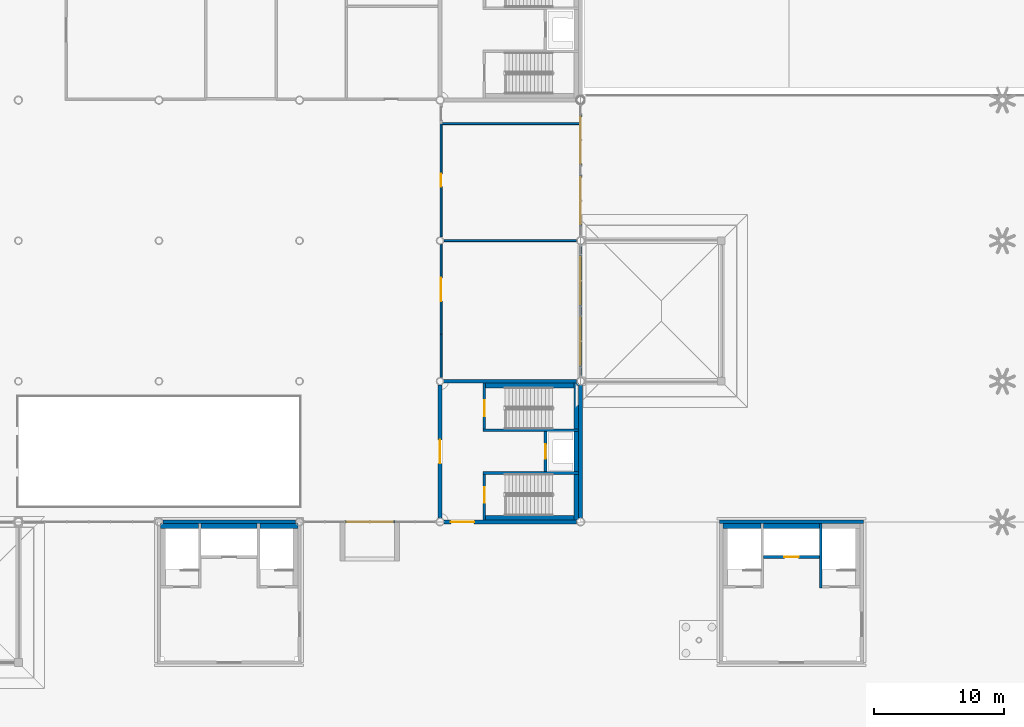
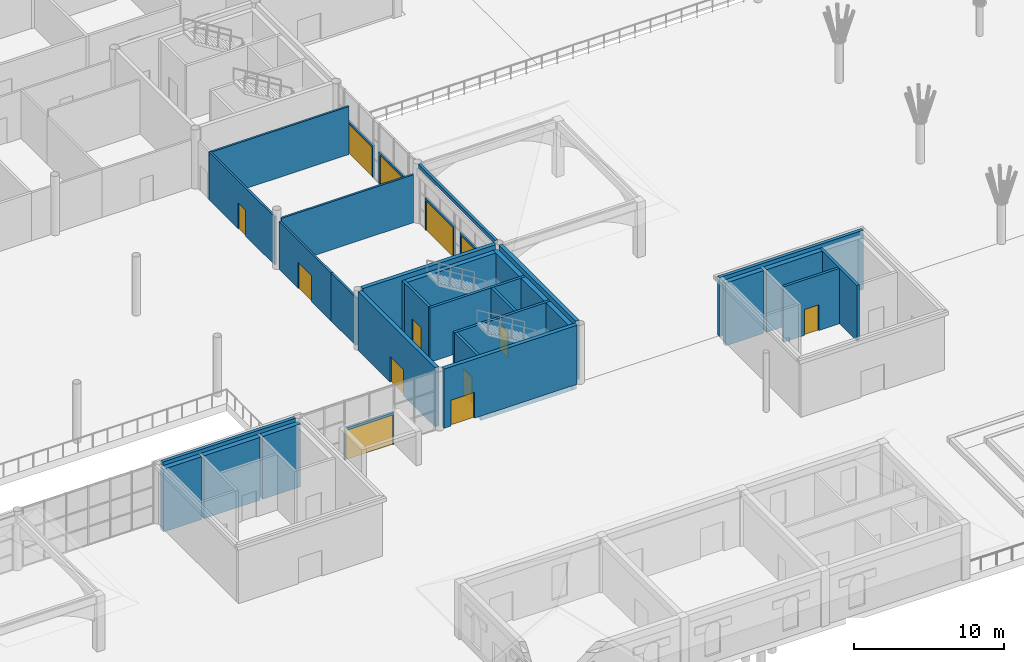
# One storey, part 49 of 91: 34 walls, 13 doors, 13 openings.
"""IFC4 building model written with IfcOpenShell, lengths in metres."""

import ifcopenshell
import ifcopenshell.guid

model = None  # the IFC model being written
_history = None  # IfcOwnerHistory: only IFC2X3 demands one
_inside = {}  # id of a spatial element -> (the spatial element, [elements in it])
_under = {}  # id of a project, library or spatial element -> (it, [spatial elements below it])
_declared = {}  # id of a project -> (the project, [libraries it declares])
_typed = {}  # id of a type object -> (the type object, [elements of that type])
_made_of = {}  # id of a material, layer set ... -> (it, [elements and type objects made of it])


def new_model(schema):
    """Start an empty IFC model of exactly this schema.

    Asked for "IFC4X3", IfcOpenShell would pick the latest addendum, in which some entities
    have other attributes; the version numbers below select the first issue.
    IFC2X3 requires an IfcOwnerHistory on every rooted entity: one is made here for all.
    """
    global model, _history
    if schema == "IFC4X3":
        model = ifcopenshell.file(schema_version=(4, 3, 0, 0))
    else:
        model = ifcopenshell.file(schema=schema)
    _inside.clear()
    _under.clear()
    _declared.clear()
    _typed.clear()
    _made_of.clear()
    _history = None
    if model.schema == "IFC2X3":
        org = make("IfcOrganization", Name="unknown")
        user = make(
            "IfcPersonAndOrganization",
            ThePerson=make("IfcPerson", FamilyName="unknown"),
            TheOrganization=org,
        )
        app = make(
            "IfcApplication",
            ApplicationDeveloper=org,
            Version="unknown",
            ApplicationFullName="unknown",
            ApplicationIdentifier="unknown",
        )
        _history = make(
            "IfcOwnerHistory",
            OwningUser=user,
            OwningApplication=app,
            ChangeAction="ADDED",
            CreationDate=0,
        )
    return model


def make(cls, **values):
    """One entity of the class cls with the attributes given. An attribute that is None is left unset."""
    return model.create_entity(
        cls, **{name: value for name, value in values.items() if value is not None}
    )


def rooted(cls, **values):
    """An entity with a GlobalId (a new one), such as an element, a storey or a relation."""
    return make(cls, GlobalId=ifcopenshell.guid.new(), OwnerHistory=_history, **values)


def si_unit(unit_type, name, prefix=None):
    """IfcSIUnit, for example si_unit("LENGTHUNIT", "METRE", prefix="MILLI")."""
    return make("IfcSIUnit", UnitType=unit_type, Prefix=prefix, Name=name)


def assignment(units):
    """IfcUnitAssignment: the units of a project."""
    return None if units is None else make("IfcUnitAssignment", Units=units)


def point(xyz):
    """IfcCartesianPoint."""
    return None if xyz is None else make("IfcCartesianPoint", Coordinates=xyz)


def direction(xyz):
    """IfcDirection."""
    return None if xyz is None else make("IfcDirection", DirectionRatios=xyz)


def frame(location, z_axis=None, x_axis=None):
    """IfcAxis2Placement3D, a coordinate frame: its origin and axes. An axis left out is left unset."""
    return make(
        "IfcAxis2Placement3D",
        Location=point(location),
        Axis=direction(z_axis),
        RefDirection=direction(x_axis),
    )


def frame_2d(location, x_axis=None):
    """IfcAxis2Placement2D, a coordinate frame in the plane: its origin and x axis."""
    return make(
        "IfcAxis2Placement2D", Location=point(location), RefDirection=direction(x_axis)
    )


def origin():
    """The frame at (0, 0, 0) with its axes left unset."""
    return frame((0.0, 0.0, 0.0))


def place(relative_to, where):
    """IfcLocalPlacement: puts the frame where relative to a parent placement (None: the world)."""
    return make(
        "IfcLocalPlacement", PlacementRelTo=relative_to, RelativePlacement=where
    )


def context(
    kind, dimensions, precision=None, world=None, true_north=None, identifier=None
):
    """IfcGeometricRepresentationContext, for example the 3D "Model" context."""
    return make(
        "IfcGeometricRepresentationContext",
        ContextIdentifier=identifier,
        ContextType=kind,
        CoordinateSpaceDimension=dimensions,
        Precision=precision,
        WorldCoordinateSystem=world,
        TrueNorth=true_north,
    )


def subcontext(parent, identifier, kind, view, scale=None):
    """IfcGeometricRepresentationSubContext, for example "Body" below "Model"."""
    return make(
        "IfcGeometricRepresentationSubContext",
        ContextIdentifier=identifier,
        ContextType=kind,
        ParentContext=parent,
        TargetScale=scale,
        TargetView=view,
    )


def project(units=None, contexts=None):
    """IfcProject with its units and contexts."""
    return rooted(
        "IfcProject",
        Name="project",
        RepresentationContexts=contexts,
        UnitsInContext=assignment(units),
    )


def spatial(cls, under=None, at=None, **own):
    """A site, building, storey or space (cls), placed at a placement, below another one or the project."""
    s = rooted(cls, ObjectPlacement=at, **own)
    if under is not None:
        _under.setdefault(under.id(), (under, []))[1].append(s)
    return s


def profile(cls, at=None, kind="AREA", **sizes):
    """A parametric profile (cls). Its sizes go by their IFC names, for example OverallWidth=200.0."""
    return make(cls, ProfileType=kind, Position=at, **sizes)


def rectangle(**sizes):
    """IfcRectangleProfileDef."""
    return profile("IfcRectangleProfileDef", **sizes)


def extrude(swept, where, along, depth):
    """IfcExtrudedAreaSolid: the profile swept, set in the frame where, extruded along a direction by depth."""
    return make(
        "IfcExtrudedAreaSolid",
        SweptArea=swept,
        Position=where,
        ExtrudedDirection=direction(along),
        Depth=depth,
    )


def shape(context_of_items, identifier, shape_type, items):
    """IfcShapeRepresentation: the items that make up one representation, for example the "Body"."""
    return make(
        "IfcShapeRepresentation",
        ContextOfItems=context_of_items,
        RepresentationIdentifier=identifier,
        RepresentationType=shape_type,
        Items=items,
    )


def material(Name=None, Category=None):
    """IfcMaterial."""
    return make("IfcMaterial", Name=Name, Category=Category)


def layer(
    of_material, thickness, ventilated=None, Name=None, Category=None, Priority=None
):
    """IfcMaterialLayer: one layer of a wall or slab, of a material (None: an air gap)."""
    return make(
        "IfcMaterialLayer",
        Material=of_material,
        LayerThickness=thickness,
        IsVentilated=ventilated,
        Name=Name,
        Category=Category,
        Priority=Priority,
    )


def layer_set(layers, Name=None):
    """IfcMaterialLayerSet."""
    return make("IfcMaterialLayerSet", MaterialLayers=layers, LayerSetName=Name)


def made_of(thing, what):
    """Note that an element or type object is made of a material, layer set ...; save() writes the relation."""
    if what is not None:
        _made_of.setdefault(what.id(), (what, []))[1].append(thing)
    return thing


def type_object(cls, material=None, **own):
    """A type object (cls), such as IfcWallType, which elements share."""
    return made_of(rooted(cls, **own), material)


def element(
    cls,
    number,
    at=None,
    inside=None,
    cuts=None,
    type_object=None,
    material=None,
    context=None,
    identifier="Body",
    shape_type=None,
    held_by="IfcProductDefinitionShape",
    body=None,
    shapes=None,
    **own,
):
    """One element of the class cls, such as IfcWall. Its Tag is "e" and its number.

    at: its placement. inside: the storey or other place that contains it. cuts: it is an
    opening in that element (IfcRelVoidsElement). A single representation is given by context,
    identifier, shape_type and body (its items); several are given by shapes. held_by: the class
    of the entity that holds the representations. save() writes the other relations.
    """
    e = rooted(cls, Tag="e%d" % number, ObjectPlacement=at, **own)
    if body is not None:
        shapes = [shape(context, identifier, shape_type, body)]
    if shapes is not None:
        e.Representation = make(held_by, Representations=shapes)
    if inside is not None:
        _inside.setdefault(inside.id(), (inside, []))[1].append(e)
    if cuts is not None:
        rooted(
            "IfcRelVoidsElement", RelatingBuildingElement=cuts, RelatedOpeningElement=e
        )
    if type_object is not None:
        _typed.setdefault(type_object.id(), (type_object, []))[1].append(e)
    return made_of(e, material)


def fill(opening, filler):
    """IfcRelFillsElement: the door or window that sits in an opening."""
    return rooted(
        "IfcRelFillsElement",
        RelatingOpeningElement=opening,
        RelatedBuildingElement=filler,
    )


def aggregate(whole, parts):
    """IfcRelAggregates: a whole, such as a stair, and the parts it consists of."""
    return rooted("IfcRelAggregates", RelatingObject=whole, RelatedObjects=parts)


def save(model, path):
    """Write the relations noted so far, then the file.

    IfcRelAggregates (storeys below a building ...), IfcRelContainedInSpatialStructure (elements
    in a storey), IfcRelDefinesByType, IfcRelAssociatesMaterial and IfcRelDeclares: one each for
    every whole, place, type object, material and project.
    """
    for whole, parts in _under.values():
        aggregate(whole, parts)
    for where, things in _inside.values():
        rooted(
            "IfcRelContainedInSpatialStructure",
            RelatedElements=things,
            RelatingStructure=where,
        )
    for kind, things in _typed.values():
        rooted("IfcRelDefinesByType", RelatedObjects=things, RelatingType=kind)
    for what, things in _made_of.values():
        rooted("IfcRelAssociatesMaterial", RelatedObjects=things, RelatingMaterial=what)
    for by, libraries in _declared.values():
        rooted("IfcRelDeclares", RelatingContext=by, RelatedDefinitions=libraries)
    model.write(path)


model = new_model("IFC4")

# Units and contexts
model_context = context("Model", 3, precision=1e-05, world=origin(), true_north=direction((0.0, 1.0)))
body_context = subcontext(model_context, "Body", "Model", "MODEL_VIEW")
ifc_project = project(units=[si_unit("LENGTHUNIT", "METRE"), si_unit("AREAUNIT", "SQUARE_METRE"), si_unit("VOLUMEUNIT", "CUBIC_METRE"), si_unit("PLANEANGLEUNIT", "RADIAN"), si_unit("MASSUNIT", "GRAM", prefix="KILO")], contexts=[model_context])

# Site, building, storey
site_placement = place(None, origin())
site = spatial("IfcSite", under=ifc_project, at=site_placement, CompositionType="ELEMENT")
building_placement = place(site_placement, origin())
building = spatial("IfcBuilding", under=site, at=building_placement, Name="Magnolia Steps Interchange", CompositionType="ELEMENT")
storey_placement = place(building_placement, origin())
storey = spatial("IfcBuildingStorey", under=building, at=storey_placement, Name="L00", CompositionType="ELEMENT", Elevation=0.0)

# Wall, opening, door
ifc_material_1 = material(Name="Concrete C35", Category="concrete")
ifc_layer_1 = layer(ifc_material_1, 0.199951171875)
ifc_layer_set_1 = layer_set([ifc_layer_1], Name="Core enclosure wall 200")
wall_type_1 = type_object("IfcWallType", Name="Core enclosure wall 200", PredefinedType="SOLIDWALL", material=ifc_layer_set_1)
wall_1_placement = place(storey_placement, frame((110.60009765625, 53.050048828125, 0.0), z_axis=(0.0, 0.0, 1.0), x_axis=(0.0, -1.0, 0.0)))
wall_1 = element("IfcWall", 1, at=wall_1_placement, inside=storey, type_object=wall_type_1, Name="L00 HC4 enclosure wall", PredefinedType="SOLIDWALL", context=body_context, shape_type="SweptSolid", body=[
    extrude(rectangle(XDim=3.5, YDim=0.199951171875, at=frame_2d((1.75, 0.0))), origin(), (0.0, 0.0, 1.0), 4.39990234375),
])
opening_1_placement = place(wall_1_placement, frame((1.324951171875, 0.0, 0.0)))
opening_1 = element("IfcOpeningElement", 2, at=opening_1_placement, cuts=wall_1, Name="Opening D-HC4-L00-1", PredefinedType="OPENING", context=body_context, shape_type="SweptSolid", body=[
    extrude(rectangle(XDim=1.199951171875, YDim=2.10009765625, at=frame_2d((0.60009765625, 1.050048828125))), frame((0.0, 0.10986328125, 0.0), z_axis=(0.0, -1.0, 0.0), x_axis=(1.0, 0.0, 0.0)), (0.0, 0.0, 1.0), 0.219970703125),
])
ifc_material_2 = material(Name="Painted steel", Category="steel")
door_type_1 = type_object("IfcDoorType", Name="Stair fire door 1200x2100", OperationType="NOTDEFINED", PredefinedType="DOOR", material=ifc_material_2)
door_1_placement = place(opening_1_placement, frame((1.199951171875, 0.0, 0.0), z_axis=(0.0, 0.0, 1.0), x_axis=(-1.0, 0.0, 0.0)))
door_1 = element("IfcDoor", 3, at=door_1_placement, inside=storey, type_object=door_type_1, Name="Stair door ST7 L00", OperationType="SINGLE_SWING_LEFT", OverallHeight=2.10009765625, OverallWidth=1.199951171875, PredefinedType="DOOR", context=body_context, shape_type="SweptSolid", body=[
    extrude(rectangle(XDim=1.199951171875, YDim=2.10009765625, at=frame_2d((0.60009765625, 1.050048828125))), frame((0.0, 0.02490234375, 0.0), z_axis=(0.0, -1.0, 0.0), x_axis=(1.0, 0.0, 0.0)), (0.0, 0.0, 1.0), 0.050048828125),
])
fill(opening_1, door_1)

# Wall
wall_2_placement = place(storey_placement, frame((110.5, 49.449951171875, 0.0), z_axis=(0.0, 0.0, 1.0), x_axis=(1.0, 0.0, 0.0)))
element("IfcWall", 4, at=wall_2_placement, inside=storey, type_object=wall_type_1, Name="L00 HC4 enclosure wall", PredefinedType="SOLIDWALL", context=body_context, shape_type="SweptSolid", body=[
    extrude(rectangle(XDim=7.35009765625, YDim=0.199951171875, at=frame_2d((3.675048828125, 0.0))), origin(), (0.0, 0.0, 1.0), 4.39990234375),
])

# Wall, opening, door
wall_3_placement = place(storey_placement, frame((115.300048828125, 49.35009765625, 0.0), z_axis=(0.0, 0.0, 1.0), x_axis=(0.0, -1.0, 0.0)))
wall_3 = element("IfcWall", 5, at=wall_3_placement, inside=storey, type_object=wall_type_1, Name="L00 HC4 enclosure wall", PredefinedType="SOLIDWALL", context=body_context, shape_type="SweptSolid", body=[
    extrude(rectangle(XDim=3.10009765625, YDim=0.199951171875, at=frame_2d((1.550048828125, 0.0))), origin(), (0.0, 0.0, 1.0), 4.39990234375),
])
opening_2_placement = place(wall_3_placement, frame((1.0, 0.0, 0.0)))
opening_2 = element("IfcOpeningElement", 6, at=opening_2_placement, cuts=wall_3, Name="Opening LD", PredefinedType="OPENING", context=body_context, shape_type="SweptSolid", body=[
    extrude(rectangle(XDim=1.10009765625, YDim=2.10009765625, at=frame_2d((0.550048828125, 1.050048828125))), frame((0.0, 0.10986328125, 0.0), z_axis=(0.0, -1.0, 0.0), x_axis=(1.0, 0.0, 0.0)), (0.0, 0.0, 1.0), 0.219970703125),
])
ifc_material_3 = material(Name="Stainless steel grade 304", Category="steel")
door_type_2 = type_object("IfcDoorType", Name="Lift landing door 1100x2100", OperationType="DOUBLE_DOOR_SLIDING", PredefinedType="DOOR", material=ifc_material_3)
door_2_placement = place(opening_2_placement, frame((1.10009765625, 0.0, 0.0), z_axis=(0.0, 0.0, 1.0), x_axis=(-1.0, 0.0, 0.0)))
door_2 = element("IfcDoor", 7, at=door_2_placement, inside=storey, type_object=door_type_2, Name="Lift landing door LF4 L00", OperationType="DOUBLE_DOOR_SLIDING", OverallHeight=2.10009765625, OverallWidth=1.10009765625, PredefinedType="DOOR", context=body_context, shape_type="SweptSolid", body=[
    extrude(rectangle(XDim=1.10009765625, YDim=2.10009765625, at=frame_2d((0.550048828125, 1.050048828125))), frame((0.0, 0.02490234375, 0.0), z_axis=(0.0, -1.0, 0.0), x_axis=(1.0, 0.0, 0.0)), (0.0, 0.0, 1.0), 0.050048828125),
])
fill(opening_2, door_2)

# Wall
wall_4_placement = place(storey_placement, frame((110.5, 46.14990234375, 0.0), z_axis=(0.0, 0.0, 1.0), x_axis=(1.0, 0.0, 0.0)))
element("IfcWall", 8, at=wall_4_placement, inside=storey, type_object=wall_type_1, Name="L00 HC4 enclosure wall", PredefinedType="SOLIDWALL", context=body_context, shape_type="SweptSolid", body=[
    extrude(rectangle(XDim=7.35009765625, YDim=0.199951171875, at=frame_2d((3.675048828125, 0.0))), origin(), (0.0, 0.0, 1.0), 4.39990234375),
])

# Wall, opening, door
wall_5_placement = place(storey_placement, frame((110.60009765625, 46.050048828125, 0.0), z_axis=(0.0, 0.0, 1.0), x_axis=(0.0, -1.0, 0.0)))
wall_5 = element("IfcWall", 9, at=wall_5_placement, inside=storey, type_object=wall_type_1, Name="L00 HC4 enclosure wall", PredefinedType="SOLIDWALL", context=body_context, shape_type="SweptSolid", body=[
    extrude(rectangle(XDim=3.5, YDim=0.199951171875, at=frame_2d((1.75, 0.0))), origin(), (0.0, 0.0, 1.0), 4.39990234375),
])
opening_3_placement = place(wall_5_placement, frame((0.97509765625, 0.0, 0.0)))
opening_3 = element("IfcOpeningElement", 10, at=opening_3_placement, cuts=wall_5, Name="Opening D-HC4-L00-2", PredefinedType="OPENING", context=body_context, shape_type="SweptSolid", body=[
    extrude(rectangle(XDim=1.199951171875, YDim=2.10009765625, at=frame_2d((0.60009765625, 1.050048828125))), frame((0.0, 0.10986328125, 0.0), z_axis=(0.0, -1.0, 0.0), x_axis=(1.0, 0.0, 0.0)), (0.0, 0.0, 1.0), 0.219970703125),
])
door_3_placement = place(opening_3_placement, frame((1.199951171875, 0.0, 0.0), z_axis=(0.0, 0.0, 1.0), x_axis=(-1.0, 0.0, 0.0)))
door_3 = element("IfcDoor", 11, at=door_3_placement, inside=storey, type_object=door_type_1, Name="Stair door ST8 L00", OperationType="SINGLE_SWING_RIGHT", OverallHeight=2.10009765625, OverallWidth=1.199951171875, PredefinedType="DOOR", context=body_context, shape_type="SweptSolid", body=[
    extrude(rectangle(XDim=1.199951171875, YDim=2.10009765625, at=frame_2d((0.60009765625, 1.050048828125))), frame((0.0, 0.02490234375, 0.0), z_axis=(0.0, -1.0, 0.0), x_axis=(1.0, 0.0, 0.0)), (0.0, 0.0, 1.0), 0.050048828125),
])
fill(opening_3, door_3)

wall_6_placement = place(storey_placement, frame((132.050048828125, 39.699951171875, 0.0), z_axis=(0.0, 0.0, 1.0), x_axis=(1.0, 0.0, 0.0)))
wall_6 = element("IfcWall", 12, at=wall_6_placement, inside=storey, type_object=wall_type_1, Name="L00 BC3 enclosure wall", PredefinedType="SOLIDWALL", context=body_context, shape_type="SweptSolid", body=[
    extrude(rectangle(XDim=4.300048828125, YDim=0.199951171875, at=frame_2d((2.14990234375, 0.0))), origin(), (0.0, 0.0, 1.0), 4.5),
])
opening_4_placement = place(wall_6_placement, frame((1.60009765625, 0.0, 0.0)))
opening_4 = element("IfcOpeningElement", 13, at=opening_4_placement, cuts=wall_6, Name="Opening LD", PredefinedType="OPENING", context=body_context, shape_type="SweptSolid", body=[
    extrude(rectangle(XDim=1.10009765625, YDim=2.10009765625, at=frame_2d((0.550048828125, 1.050048828125))), frame((0.0, 0.10986328125, 0.0), z_axis=(0.0, -1.0, 0.0), x_axis=(1.0, 0.0, 0.0)), (0.0, 0.0, 1.0), 0.219970703125),
])
door_4_placement = place(opening_4_placement, frame((1.10009765625, 0.0, 0.0), z_axis=(0.0, 0.0, 1.0), x_axis=(-1.0, 0.0, 0.0)))
door_4 = element("IfcDoor", 14, at=door_4_placement, inside=storey, type_object=door_type_2, Name="Lift landing door LF10 L00", OperationType="DOUBLE_DOOR_SLIDING", OverallHeight=2.10009765625, OverallWidth=1.10009765625, PredefinedType="DOOR", context=body_context, shape_type="SweptSolid", body=[
    extrude(rectangle(XDim=1.10009765625, YDim=2.10009765625, at=frame_2d((0.550048828125, 1.050048828125))), frame((0.0, 0.02490234375, 0.0), z_axis=(0.0, -1.0, 0.0), x_axis=(1.0, 0.0, 0.0)), (0.0, 0.0, 1.0), 0.050048828125),
])
fill(opening_4, door_4)

# Walls
wall_7_placement = place(storey_placement, frame((136.449951171875, 37.300048828125, 0.0), z_axis=(0.0, 0.0, 1.0), x_axis=(0.0, 1.0, 0.0)))
element("IfcWall", 15, at=wall_7_placement, inside=storey, type_object=wall_type_1, Name="L00 BC3 enclosure wall", PredefinedType="SOLIDWALL", context=body_context, shape_type="SweptSolid", body=[
    extrude(rectangle(XDim=4.974853515625, YDim=0.199951171875, at=frame_2d((2.4873046875, 0.0))), origin(), (0.0, 0.0, 1.0), 4.5),
])
ifc_material_4 = material(Name="Concrete C35", Category="concrete")
ifc_layer_2 = layer(ifc_material_4, 0.35009765625)
ifc_layer_set_2 = layer_set([ifc_layer_2], Name="Core lining wall 350")
wall_type_2 = type_object("IfcWallType", Name="Core lining wall 350", PredefinedType="SOLIDWALL", material=ifc_layer_set_2)
wall_8_placement = place(storey_placement, frame((110.5, 52.875, -0.60009765625), z_axis=(0.0, 0.0, 1.0), x_axis=(1.0, 0.0, 0.0)))
element("IfcWall", 16, at=wall_8_placement, inside=storey, type_object=wall_type_2, Name="L00 HC4 stair lining wall", PredefinedType="SOLIDWALL", context=body_context, shape_type="SweptSolid", body=[
    extrude(rectangle(XDim=7.35009765625, YDim=0.35009765625, at=frame_2d((3.675048828125, 0.0))), origin(), (0.0, 0.0, 1.0), 5.0),
])
wall_9_placement = place(storey_placement, frame((117.675048828125, 53.050048828125, -0.60009765625), z_axis=(0.0, 0.0, 1.0), x_axis=(0.0, -1.0, 0.0)))
element("IfcWall", 17, at=wall_9_placement, inside=storey, type_object=wall_type_2, Name="L00 HC4 stair lining wall", PredefinedType="SOLIDWALL", context=body_context, shape_type="SweptSolid", body=[
    extrude(rectangle(XDim=3.5, YDim=0.35009765625, at=frame_2d((1.75, 0.0))), origin(), (0.0, 0.0, 1.0), 5.0),
])
wall_10_placement = place(storey_placement, frame((110.5, 42.72509765625, -0.60009765625), z_axis=(0.0, 0.0, 1.0), x_axis=(1.0, 0.0, 0.0)))
element("IfcWall", 18, at=wall_10_placement, inside=storey, type_object=wall_type_2, Name="L00 HC4 stair lining wall", PredefinedType="SOLIDWALL", context=body_context, shape_type="SweptSolid", body=[
    extrude(rectangle(XDim=7.35009765625, YDim=0.35009765625, at=frame_2d((3.675048828125, 0.0))), origin(), (0.0, 0.0, 1.0), 5.0),
])
wall_11_placement = place(storey_placement, frame((117.675048828125, 46.050048828125, -0.60009765625), z_axis=(0.0, 0.0, 1.0), x_axis=(0.0, -1.0, 0.0)))
element("IfcWall", 19, at=wall_11_placement, inside=storey, type_object=wall_type_2, Name="L00 HC4 stair lining wall", PredefinedType="SOLIDWALL", context=body_context, shape_type="SweptSolid", body=[
    extrude(rectangle(XDim=3.5, YDim=0.35009765625, at=frame_2d((1.75, 0.0))), origin(), (0.0, 0.0, 1.0), 5.0),
])
wall_12_placement = place(storey_placement, frame((117.675048828125, 49.35009765625, -0.60009765625), z_axis=(0.0, 0.0, 1.0), x_axis=(0.0, -1.0, 0.0)))
element("IfcWall", 20, at=wall_12_placement, inside=storey, type_object=wall_type_2, Name="L00 HC4 stair lining wall", PredefinedType="SOLIDWALL", context=body_context, shape_type="SweptSolid", body=[
    extrude(rectangle(XDim=3.10009765625, YDim=0.35009765625, at=frame_2d((1.550048828125, 0.0))), origin(), (0.0, 0.0, 1.0), 5.0),
])
ifc_material_5 = material(Name="Concrete C35", Category="concrete")
ifc_layer_3 = layer(ifc_material_5, 0.375)
ifc_layer_set_3 = layer_set([ifc_layer_3], Name="Core lining wall 375")
wall_type_3 = type_object("IfcWallType", Name="Core lining wall 375", PredefinedType="SOLIDWALL", material=ifc_layer_set_3)
for number, where, z_axis, x_axis, name in (
    (21, (85.72509765625, 42.08740234375, -0.60009765625), (0.0, 0.0, 1.0), (1.0, 0.0, 0.0), "L00 BC2 stair lining wall"),
    (22, (93.35009765625, 42.08740234375, -0.60009765625), (0.0, 0.0, 1.0), (1.0, 0.0, 0.0), "L00 BC2 stair lining wall"),
):
    element("IfcWall", number, at=place(storey_placement, frame(where, z_axis=z_axis, x_axis=x_axis)), inside=storey, type_object=wall_type_3, Name=name, PredefinedType="SOLIDWALL", context=body_context, shape_type="SweptSolid", body=[
        extrude(rectangle(XDim=2.9248046875, YDim=0.375, at=frame_2d((1.46240234375, 0.0))), origin(), (0.0, 0.0, 1.0), 5.10009765625),
    ])
wall_13_placement = place(storey_placement, frame((88.85009765625, 42.08740234375, -0.60009765625), z_axis=(0.0, 0.0, 1.0), x_axis=(1.0, 0.0, 0.0)))
element("IfcWall", 23, at=wall_13_placement, inside=storey, type_object=wall_type_3, Name="L00 BC2 stair lining wall", PredefinedType="SOLIDWALL", context=body_context, shape_type="SweptSolid", body=[
    extrude(rectangle(XDim=4.2998046875, YDim=0.375, at=frame_2d((2.14990234375, 0.0))), origin(), (0.0, 0.0, 1.0), 5.10009765625),
])
wall_14_placement = place(storey_placement, frame((128.925048828125, 42.08740234375, -0.60009765625), z_axis=(0.0, 0.0, 1.0), x_axis=(1.0, 0.0, 0.0)))
element("IfcWall", 24, at=wall_14_placement, inside=storey, type_object=wall_type_3, Name="L00 BC3 stair lining wall", PredefinedType="SOLIDWALL", context=body_context, shape_type="SweptSolid", body=[
    extrude(rectangle(XDim=2.925048828125, YDim=0.375, at=frame_2d((1.46240234375, 0.0))), origin(), (0.0, 0.0, 1.0), 5.10009765625),
])
wall_15_placement = place(storey_placement, frame((132.050048828125, 42.08740234375, -0.60009765625), z_axis=(0.0, 0.0, 1.0), x_axis=(1.0, 0.0, 0.0)))
element("IfcWall", 25, at=wall_15_placement, inside=storey, type_object=wall_type_3, Name="L00 BC3 stair lining wall", PredefinedType="SOLIDWALL", context=body_context, shape_type="SweptSolid", body=[
    extrude(rectangle(XDim=4.300048828125, YDim=0.375, at=frame_2d((2.14990234375, 0.0))), origin(), (0.0, 0.0, 1.0), 5.10009765625),
])
ifc_material_6 = material(Name="Concrete C40", Category="concrete")
ifc_layer_4 = layer(ifc_material_6, 0.25)
ifc_layer_set_4 = layer_set([ifc_layer_4], Name="Core wall 250")
wall_type_4 = type_object("IfcWallType", Name="Core wall 250", PredefinedType="SOLIDWALL", material=ifc_layer_set_4)
wall_16_placement = place(storey_placement, frame((96.094970703125, 42.39990234375, 0.0), z_axis=(0.0, 0.0, 1.0), x_axis=(-1.0, 0.0, 0.0)))
element("IfcWall", 26, at=wall_16_placement, inside=storey, type_object=wall_type_4, Name="Core wall BC2", PredefinedType="SOLIDWALL", context=body_context, shape_type="SweptSolid", body=[
    extrude(rectangle(XDim=10.18994140625, YDim=0.25, at=frame_2d((5.094970703125, 0.0))), origin(), (0.0, 0.0, 1.0), 4.800048828125),
])
wall_17_placement = place(storey_placement, frame((139.72509765625, 42.39990234375, 0.0), z_axis=(0.0, 0.0, 1.0), x_axis=(-1.0, 0.0, 0.0)))
element("IfcWall", 27, at=wall_17_placement, inside=storey, type_object=wall_type_4, Name="Core wall BC3", PredefinedType="SOLIDWALL", context=body_context, shape_type="SweptSolid", body=[
    extrude(rectangle(XDim=11.050048828125, YDim=0.25, at=frame_2d((5.52490234375, 0.0))), origin(), (0.0, 0.0, 1.0), 4.800048828125),
])

# Wall, opening, door
ifc_material_7 = material(Name="Concrete C40", Category="concrete")
ifc_layer_5 = layer(ifc_material_7, 0.300048828125)
ifc_layer_set_5 = layer_set([ifc_layer_5], Name="Core wall 300")
wall_type_5 = type_object("IfcWallType", Name="Core wall 300", PredefinedType="SOLIDWALL", material=ifc_layer_set_5)
wall_18_placement = place(storey_placement, frame((107.5048828125, 42.39990234375, 0.0), z_axis=(0.0, 0.0, 1.0), x_axis=(1.0, 0.0, 0.0)))
wall_18 = element("IfcWall", 28, at=wall_18_placement, inside=storey, type_object=wall_type_5, Name="Core wall HC4", PredefinedType="SOLIDWALL", context=body_context, shape_type="SweptSolid", body=[
    extrude(rectangle(XDim=10.190185546875, YDim=0.300048828125, at=frame_2d((5.09521484375, 0.0))), origin(), (0.0, 0.0, 1.0), 4.800048828125),
])
opening_5_placement = place(wall_18_placement, frame((0.52001953125, 0.0, 0.0)))
opening_5 = element("IfcOpeningElement", 29, at=opening_5_placement, cuts=wall_18, Name="Opening D-HC4-L00-4", PredefinedType="OPENING", context=body_context, shape_type="SweptSolid", body=[
    extrude(rectangle(XDim=1.800048828125, YDim=2.10009765625, at=frame_2d((0.89990234375, 1.050048828125))), frame((0.0, 0.159912109375, 0.0), z_axis=(0.0, -1.0, 0.0), x_axis=(1.0, 0.0, 0.0)), (0.0, 0.0, 1.0), 0.320068359375),
])
ifc_material_8 = material(Name="Timber and glass", Category="wood")
door_type_3 = type_object("IfcDoorType", Name="Core entrance door pair 1800x2100", OperationType="DOUBLE_DOOR_DOUBLE_SWING", PredefinedType="DOOR", material=ifc_material_8)
door_5_placement = place(opening_5_placement, frame((1.800048828125, 0.0, 0.0), z_axis=(0.0, 0.0, 1.0), x_axis=(-1.0, 0.0, 0.0)))
door_5 = element("IfcDoor", 30, at=door_5_placement, inside=storey, type_object=door_type_3, Name="Core entrance door HC4 L00", OperationType="DOUBLE_DOOR_DOUBLE_SWING", OverallHeight=2.10009765625, OverallWidth=1.800048828125, PredefinedType="DOOR", context=body_context, shape_type="SweptSolid", body=[
    extrude(rectangle(XDim=1.800048828125, YDim=2.10009765625, at=frame_2d((0.89990234375, 1.050048828125))), frame((0.0, 0.02490234375, 0.0), z_axis=(0.0, -1.0, 0.0), x_axis=(1.0, 0.0, 0.0)), (0.0, 0.0, 1.0), 0.050048828125),
])
fill(opening_5, door_5)

# Walls
wall_19_placement = place(storey_placement, frame((118.0, 42.705078125, 0.0), z_axis=(0.0, 0.0, 1.0), x_axis=(0.0, 1.0, 0.0)))
element("IfcWall", 31, at=wall_19_placement, inside=storey, type_object=wall_type_5, Name="Core wall HC4", PredefinedType="SOLIDWALL", context=body_context, shape_type="SweptSolid", body=[
    extrude(rectangle(XDim=10.18994140625, YDim=0.300048828125, at=frame_2d((5.094970703125, 0.0))), origin(), (0.0, 0.0, 1.0), 4.800048828125),
])
wall_20_placement = place(storey_placement, frame((117.695068359375, 53.199951171875, 0.0), z_axis=(0.0, 0.0, 1.0), x_axis=(-1.0, 0.0, 0.0)))
element("IfcWall", 32, at=wall_20_placement, inside=storey, type_object=wall_type_5, Name="Core wall HC4", PredefinedType="SOLIDWALL", context=body_context, shape_type="SweptSolid", body=[
    extrude(rectangle(XDim=10.215576171875, YDim=0.300048828125, at=frame_2d((5.10791015625, 0.0))), origin(), (0.0, 0.0, 1.0), 4.800048828125),
])

# Wall, opening, door
wall_21_placement = place(storey_placement, frame((107.199951171875, 52.92041015625, 0.0), z_axis=(0.0, 0.0, 1.0), x_axis=(0.0, -1.0, 0.0)))
wall_21 = element("IfcWall", 33, at=wall_21_placement, inside=storey, type_object=wall_type_5, Name="Core wall HC4", PredefinedType="SOLIDWALL", context=body_context, shape_type="SweptSolid", body=[
    extrude(rectangle(XDim=10.21533203125, YDim=0.300048828125, at=frame_2d((5.107666015625, 0.0))), origin(), (0.0, 0.0, 1.0), 4.800048828125),
])
opening_6_placement = place(wall_21_placement, frame((4.220458984375, 0.0, 0.0)))
opening_6 = element("IfcOpeningElement", 34, at=opening_6_placement, cuts=wall_21, Name="Opening D-HC4-L00-3", PredefinedType="OPENING", context=body_context, shape_type="SweptSolid", body=[
    extrude(rectangle(XDim=1.800048828125, YDim=2.10009765625, at=frame_2d((0.89990234375, 1.050048828125))), frame((0.0, 0.159912109375, 0.0), z_axis=(0.0, -1.0, 0.0), x_axis=(1.0, 0.0, 0.0)), (0.0, 0.0, 1.0), 0.320068359375),
])
door_6_placement = place(opening_6_placement, frame((1.800048828125, 0.0, 0.0), z_axis=(0.0, 0.0, 1.0), x_axis=(-1.0, 0.0, 0.0)))
door_6 = element("IfcDoor", 35, at=door_6_placement, inside=storey, type_object=door_type_3, Name="Core entrance door HC4 L00", OperationType="DOUBLE_DOOR_DOUBLE_SWING", OverallHeight=2.10009765625, OverallWidth=1.800048828125, PredefinedType="DOOR", context=body_context, shape_type="SweptSolid", body=[
    extrude(rectangle(XDim=1.800048828125, YDim=2.10009765625, at=frame_2d((0.89990234375, 1.050048828125))), frame((0.0, 0.02490234375, 0.0), z_axis=(0.0, -1.0, 0.0), x_axis=(1.0, 0.0, 0.0)), (0.0, 0.0, 1.0), 0.050048828125),
])
fill(opening_6, door_6)

ifc_material_9 = material(Name="Powder-coated aluminium and glass", Category="aluminium")
ifc_layer_6 = layer(ifc_material_9, 0.14990234375)
ifc_layer_set_6 = layer_set([ifc_layer_6], Name="Glazed entrance frame wall 150")
wall_type_6 = type_object("IfcWallType", Name="Glazed entrance frame wall 150", PredefinedType="SOLIDWALL", material=ifc_layer_set_6)
wall_22_placement = place(storey_placement, frame((99.89990234375, 42.39990234375, 0.0), z_axis=(0.0, 0.0, 1.0), x_axis=(1.0, 0.0, 0.0)))
wall_22 = element("IfcWall", 36, at=wall_22_placement, inside=storey, type_object=wall_type_6, Name="EW/HALL/ENT/S5/L00", PredefinedType="SOLIDWALL", context=body_context, shape_type="SweptSolid", body=[
    extrude(rectangle(XDim=3.800048828125, YDim=0.14990234375, at=frame_2d((1.89990234375, 0.0))), origin(), (0.0, 0.0, 1.0), 2.60009765625),
])
opening_7_placement = place(wall_22_placement, frame((0.10009765625, 0.0, 0.0)))
opening_7 = element("IfcOpeningElement", 37, at=opening_7_placement, cuts=wall_22, Name="Opening E05", PredefinedType="OPENING", context=body_context, shape_type="SweptSolid", body=[
    extrude(rectangle(XDim=3.60009765625, YDim=2.39990234375, at=frame_2d((1.800048828125, 1.199951171875))), frame((0.0, 0.0849609375, 0.0), z_axis=(0.0, -1.0, 0.0), x_axis=(1.0, 0.0, 0.0)), (0.0, 0.0, 1.0), 0.169921875),
])
ifc_material_10 = material(Name="Aluminium and glass", Category="aluminium")
door_type_4 = type_object("IfcDoorType", Name="Glazed entrance door 3600 x 2400", OperationType="DOUBLE_DOOR_SLIDING", PredefinedType="DOOR", material=ifc_material_10)
door_7_placement = place(opening_7_placement, origin())
door_7 = element("IfcDoor", 38, at=door_7_placement, inside=storey, type_object=door_type_4, Name="Hall entrance doors S5", OperationType="DOUBLE_DOOR_SLIDING", OverallHeight=2.39990234375, OverallWidth=3.60009765625, PredefinedType="DOOR", context=body_context, shape_type="SweptSolid", body=[
    extrude(rectangle(XDim=3.60009765625, YDim=2.39990234375, at=frame_2d((1.800048828125, 1.199951171875))), frame((0.0, 0.02490234375, 0.0), z_axis=(0.0, -1.0, 0.0), x_axis=(1.0, 0.0, 0.0)), (0.0, 0.0, 1.0), 0.050048828125),
])
fill(opening_7, door_7)

wall_23_placement = place(storey_placement, frame((118.0, 54.320068359375, 0.0), z_axis=(0.0, 0.0, 1.0), x_axis=(0.0, 1.0, 0.0)))
wall_23 = element("IfcWall", 39, at=wall_23_placement, inside=storey, type_object=wall_type_6, Name="EW/HALL/ENT/E2/L00/1", PredefinedType="SOLIDWALL", context=body_context, shape_type="SweptSolid", body=[
    extrude(rectangle(XDim=3.89990234375, YDim=0.14990234375, at=frame_2d((1.949951171875, 0.0))), origin(), (0.0, 0.0, 1.0), 2.60009765625),
])
opening_8_placement = place(wall_23_placement, frame((0.14990234375, 0.0, 0.0)))
opening_8 = element("IfcOpeningElement", 40, at=opening_8_placement, cuts=wall_23, Name="Opening E12", PredefinedType="OPENING", context=body_context, shape_type="SweptSolid", body=[
    extrude(rectangle(XDim=3.60009765625, YDim=2.39990234375, at=frame_2d((1.800048828125, 1.199951171875))), frame((0.0, 0.0849609375, 0.0), z_axis=(0.0, -1.0, 0.0), x_axis=(1.0, 0.0, 0.0)), (0.0, 0.0, 1.0), 0.169921875),
])
door_8_placement = place(opening_8_placement, origin())
door_8 = element("IfcDoor", 41, at=door_8_placement, inside=storey, type_object=door_type_4, Name="Hall entrance doors E2-1", OperationType="DOUBLE_DOOR_SLIDING", OverallHeight=2.39990234375, OverallWidth=3.60009765625, PredefinedType="DOOR", context=body_context, shape_type="SweptSolid", body=[
    extrude(rectangle(XDim=3.60009765625, YDim=2.39990234375, at=frame_2d((1.800048828125, 1.199951171875))), frame((0.0, 0.02490234375, 0.0), z_axis=(0.0, -1.0, 0.0), x_axis=(1.0, 0.0, 0.0)), (0.0, 0.0, 1.0), 0.050048828125),
])
fill(opening_8, door_8)

wall_24_placement = place(storey_placement, frame((118.0, 58.97998046875, 0.0), z_axis=(0.0, 0.0, 1.0), x_axis=(0.0, 1.0, 0.0)))
wall_24 = element("IfcWall", 42, at=wall_24_placement, inside=storey, type_object=wall_type_6, Name="EW/HALL/ENT/E2/L00/2", PredefinedType="SOLIDWALL", context=body_context, shape_type="SweptSolid", body=[
    extrude(rectangle(XDim=3.89990234375, YDim=0.14990234375, at=frame_2d((1.949951171875, 0.0))), origin(), (0.0, 0.0, 1.0), 2.60009765625),
])
opening_9_placement = place(wall_24_placement, frame((0.14990234375, 0.0, 0.0)))
opening_9 = element("IfcOpeningElement", 43, at=opening_9_placement, cuts=wall_24, Name="Opening E13", PredefinedType="OPENING", context=body_context, shape_type="SweptSolid", body=[
    extrude(rectangle(XDim=3.60009765625, YDim=2.39990234375, at=frame_2d((1.800048828125, 1.199951171875))), frame((0.0, 0.0849609375, 0.0), z_axis=(0.0, -1.0, 0.0), x_axis=(1.0, 0.0, 0.0)), (0.0, 0.0, 1.0), 0.169921875),
])
door_9_placement = place(opening_9_placement, origin())
door_9 = element("IfcDoor", 44, at=door_9_placement, inside=storey, type_object=door_type_4, Name="Hall entrance doors E2-2", OperationType="DOUBLE_DOOR_SLIDING", OverallHeight=2.39990234375, OverallWidth=3.60009765625, PredefinedType="DOOR", context=body_context, shape_type="SweptSolid", body=[
    extrude(rectangle(XDim=3.60009765625, YDim=2.39990234375, at=frame_2d((1.800048828125, 1.199951171875))), frame((0.0, 0.02490234375, 0.0), z_axis=(0.0, -1.0, 0.0), x_axis=(1.0, 0.0, 0.0)), (0.0, 0.0, 1.0), 0.050048828125),
])
fill(opening_9, door_9)

wall_25_placement = place(storey_placement, frame((118.0, 65.1201171875, 0.0), z_axis=(0.0, 0.0, 1.0), x_axis=(0.0, 1.0, 0.0)))
wall_25 = element("IfcWall", 45, at=wall_25_placement, inside=storey, type_object=wall_type_6, Name="EW/HALL/ENT/E3/L00/1", PredefinedType="SOLIDWALL", context=body_context, shape_type="SweptSolid", body=[
    extrude(rectangle(XDim=3.89990234375, YDim=0.14990234375, at=frame_2d((1.949951171875, 0.0))), origin(), (0.0, 0.0, 1.0), 2.60009765625),
])
opening_10_placement = place(wall_25_placement, frame((0.14990234375, 0.0, 0.0)))
opening_10 = element("IfcOpeningElement", 46, at=opening_10_placement, cuts=wall_25, Name="Opening E14", PredefinedType="OPENING", context=body_context, shape_type="SweptSolid", body=[
    extrude(rectangle(XDim=3.60009765625, YDim=2.39990234375, at=frame_2d((1.800048828125, 1.199951171875))), frame((0.0, 0.0849609375, 0.0), z_axis=(0.0, -1.0, 0.0), x_axis=(1.0, 0.0, 0.0)), (0.0, 0.0, 1.0), 0.169921875),
])
door_10_placement = place(opening_10_placement, origin())
door_10 = element("IfcDoor", 47, at=door_10_placement, inside=storey, type_object=door_type_4, Name="Hall entrance doors E3-1", OperationType="DOUBLE_DOOR_SLIDING", OverallHeight=2.39990234375, OverallWidth=3.60009765625, PredefinedType="DOOR", context=body_context, shape_type="SweptSolid", body=[
    extrude(rectangle(XDim=3.60009765625, YDim=2.39990234375, at=frame_2d((1.800048828125, 1.199951171875))), frame((0.0, 0.02490234375, 0.0), z_axis=(0.0, -1.0, 0.0), x_axis=(1.0, 0.0, 0.0)), (0.0, 0.0, 1.0), 0.050048828125),
])
fill(opening_10, door_10)

wall_26_placement = place(storey_placement, frame((118.0, 69.780029296875, 0.0), z_axis=(0.0, 0.0, 1.0), x_axis=(0.0, 1.0, 0.0)))
wall_26 = element("IfcWall", 48, at=wall_26_placement, inside=storey, type_object=wall_type_6, Name="EW/HALL/ENT/E3/L00/2", PredefinedType="SOLIDWALL", context=body_context, shape_type="SweptSolid", body=[
    extrude(rectangle(XDim=3.89990234375, YDim=0.14990234375, at=frame_2d((1.949951171875, 0.0))), origin(), (0.0, 0.0, 1.0), 2.60009765625),
])
opening_11_placement = place(wall_26_placement, frame((0.14990234375, 0.0, 0.0)))
opening_11 = element("IfcOpeningElement", 49, at=opening_11_placement, cuts=wall_26, Name="Opening E15", PredefinedType="OPENING", context=body_context, shape_type="SweptSolid", body=[
    extrude(rectangle(XDim=3.60009765625, YDim=2.39990234375, at=frame_2d((1.800048828125, 1.199951171875))), frame((0.0, 0.0849609375, 0.0), z_axis=(0.0, -1.0, 0.0), x_axis=(1.0, 0.0, 0.0)), (0.0, 0.0, 1.0), 0.169921875),
])
door_11_placement = place(opening_11_placement, origin())
door_11 = element("IfcDoor", 50, at=door_11_placement, inside=storey, type_object=door_type_4, Name="Hall entrance doors E3-2", OperationType="DOUBLE_DOOR_SLIDING", OverallHeight=2.39990234375, OverallWidth=3.60009765625, PredefinedType="DOOR", context=body_context, shape_type="SweptSolid", body=[
    extrude(rectangle(XDim=3.60009765625, YDim=2.39990234375, at=frame_2d((1.800048828125, 1.199951171875))), frame((0.0, 0.02490234375, 0.0), z_axis=(0.0, -1.0, 0.0), x_axis=(1.0, 0.0, 0.0)), (0.0, 0.0, 1.0), 0.050048828125),
])
fill(opening_11, door_11)

# Walls
ifc_material_11 = material(Name="White powder-coated aluminium cladding", Category="aluminium")
ifc_layer_7 = layer(ifc_material_11, 0.199951171875)
ifc_layer_set_7 = layer_set([ifc_layer_7], Name="Hall header wall 200")
wall_type_7 = type_object("IfcWallType", Name="Hall header wall 200", PredefinedType="SOLIDWALL", material=ifc_layer_set_7)
wall_27_placement = place(storey_placement, frame((118.0, 53.47998046875, 4.5), z_axis=(0.0, 0.0, 1.0), x_axis=(0.0, 1.0, 0.0)))
element("IfcWall", 51, at=wall_27_placement, inside=storey, type_object=wall_type_7, Name="Hall portico fascia E2", PredefinedType="SOLIDWALL", context=body_context, shape_type="SweptSolid", body=[
    extrude(rectangle(XDim=10.239990234375, YDim=0.199951171875, at=frame_2d((5.1201171875, 0.0))), origin(), (0.0, 0.0, 1.0), 0.300048828125),
])
ifc_material_12 = material(Name="Fair-faced blockwork", Category="masonry")
ifc_layer_8 = layer(ifc_material_12, 0.14990234375)
ifc_layer_set_8 = layer_set([ifc_layer_8], Name="Partition wall 150")
wall_type_8 = type_object("IfcWallType", Name="Partition wall 150", PredefinedType="PARTITIONING", material=ifc_layer_set_8)
wall_28_placement = place(storey_placement, frame((107.27490234375, 53.489501953125, 0.0), z_axis=(0.0, 0.0, 1.0), x_axis=(0.0, 1.0, 0.0)))
element("IfcWall", 52, at=wall_28_placement, inside=storey, type_object=wall_type_8, Name="L00 partition 24", PredefinedType="PARTITIONING", context=body_context, shape_type="SweptSolid", body=[
    extrude(rectangle(XDim=3.310546875, YDim=0.14990234375, at=frame_2d((1.6552734375, 0.0))), origin(), (0.0, 0.0, 1.0), 3.89990234375),
])

# Wall, opening, door
wall_29_placement = place(storey_placement, frame((107.27490234375, 56.800048828125, 0.0), z_axis=(0.0, 0.0, 1.0), x_axis=(0.0, 1.0, 0.0)))
wall_29 = element("IfcWall", 53, at=wall_29_placement, inside=storey, type_object=wall_type_8, Name="L00 partition 25", PredefinedType="PARTITIONING", context=body_context, shape_type="SweptSolid", body=[
    extrude(rectangle(XDim=6.910400390625, YDim=0.14990234375, at=frame_2d((3.455078125, 0.0))), origin(), (0.0, 0.0, 1.0), 3.89990234375),
])
opening_12_placement = place(wall_29_placement, frame((2.55517578125, 0.0, 0.0)))
opening_12 = element("IfcOpeningElement", 54, at=opening_12_placement, cuts=wall_29, Name="Opening D-L00-13", PredefinedType="OPENING", context=body_context, shape_type="SweptSolid", body=[
    extrude(rectangle(XDim=1.800048828125, YDim=2.10009765625, at=frame_2d((0.89990234375, 1.050048828125))), frame((0.0, 0.0849609375, 0.0), z_axis=(0.0, -1.0, 0.0), x_axis=(1.0, 0.0, 0.0)), (0.0, 0.0, 1.0), 0.169921875),
])
ifc_material_13 = material(Name="Timber", Category="wood")
door_type_5 = type_object("IfcDoorType", Name="Room door pair 1800x2100", OperationType="DOUBLE_DOOR_DOUBLE_SWING", PredefinedType="DOOR", material=ifc_material_13)
door_12_placement = place(opening_12_placement, origin())
door_12 = element("IfcDoor", 55, at=door_12_placement, inside=storey, type_object=door_type_5, Name="Cafe door", OperationType="DOUBLE_DOOR_DOUBLE_SWING", OverallHeight=2.10009765625, OverallWidth=1.800048828125, PredefinedType="DOOR", context=body_context, shape_type="SweptSolid", body=[
    extrude(rectangle(XDim=1.800048828125, YDim=2.10009765625, at=frame_2d((0.89990234375, 1.050048828125))), frame((0.0, 0.02490234375, 0.0), z_axis=(0.0, -1.0, 0.0), x_axis=(1.0, 0.0, 0.0)), (0.0, 0.0, 1.0), 0.050048828125),
])
fill(opening_12, door_12)

wall_30_placement = place(storey_placement, frame((107.27490234375, 64.28955078125, 0.0), z_axis=(0.0, 0.0, 1.0), x_axis=(0.0, 1.0, 0.0)))
wall_30 = element("IfcWall", 56, at=wall_30_placement, inside=storey, type_object=wall_type_8, Name="L00 partition 26", PredefinedType="PARTITIONING", context=body_context, shape_type="SweptSolid", body=[
    extrude(rectangle(XDim=8.71044921875, YDim=0.14990234375, at=frame_2d((4.355224609375, 0.0))), origin(), (0.0, 0.0, 1.0), 3.89990234375),
])
opening_13_placement = place(wall_30_placement, frame((3.855224609375, 0.0, 0.0)))
opening_13 = element("IfcOpeningElement", 57, at=opening_13_placement, cuts=wall_30, Name="Opening D-L00-14", PredefinedType="OPENING", context=body_context, shape_type="SweptSolid", body=[
    extrude(rectangle(XDim=1.0, YDim=2.10009765625, at=frame_2d((0.5, 1.050048828125))), frame((0.0, 0.0849609375, 0.0), z_axis=(0.0, -1.0, 0.0), x_axis=(1.0, 0.0, 0.0)), (0.0, 0.0, 1.0), 0.169921875),
])
ifc_material_14 = material(Name="Timber", Category="wood")
door_type_6 = type_object("IfcDoorType", Name="Room door 1000x2100", OperationType="NOTDEFINED", PredefinedType="DOOR", material=ifc_material_14)
door_13_placement = place(opening_13_placement, frame((1.0, 0.0, 0.0), z_axis=(0.0, 0.0, 1.0), x_axis=(-1.0, 0.0, 0.0)))
door_13 = element("IfcDoor", 58, at=door_13_placement, inside=storey, type_object=door_type_6, Name="Retail Unit 2 door", OperationType="SINGLE_SWING_RIGHT", OverallHeight=2.10009765625, OverallWidth=1.0, PredefinedType="DOOR", context=body_context, shape_type="SweptSolid", body=[
    extrude(rectangle(XDim=1.0, YDim=2.10009765625, at=frame_2d((0.5, 1.050048828125))), frame((0.0, 0.02490234375, 0.0), z_axis=(0.0, -1.0, 0.0), x_axis=(1.0, 0.0, 0.0)), (0.0, 0.0, 1.0), 0.050048828125),
])
fill(opening_13, door_13)

# Walls
wall_31_placement = place(storey_placement, frame((107.49951171875, 64.0, 0.0), z_axis=(0.0, 0.0, 1.0), x_axis=(1.0, 0.0, 0.0)))
element("IfcWall", 59, at=wall_31_placement, inside=storey, type_object=wall_type_8, Name="L00 partition 42", PredefinedType="PARTITIONING", context=body_context, shape_type="SweptSolid", body=[
    extrude(rectangle(XDim=10.175537109375, YDim=0.14990234375, at=frame_2d((5.087890625, 0.0))), origin(), (0.0, 0.0, 1.0), 3.89990234375),
])
wall_32_placement = place(storey_placement, frame((107.199951171875, 73.0, 0.0), z_axis=(0.0, 0.0, 1.0), x_axis=(1.0, 0.0, 0.0)))
element("IfcWall", 60, at=wall_32_placement, inside=storey, type_object=wall_type_8, Name="L00 partition 43", PredefinedType="PARTITIONING", context=body_context, shape_type="SweptSolid", body=[
    extrude(rectangle(XDim=10.699951171875, YDim=0.14990234375, at=frame_2d((5.35009765625, 0.0))), origin(), (0.0, 0.0, 1.0), 3.89990234375),
])

save(model, "model.ifc")
